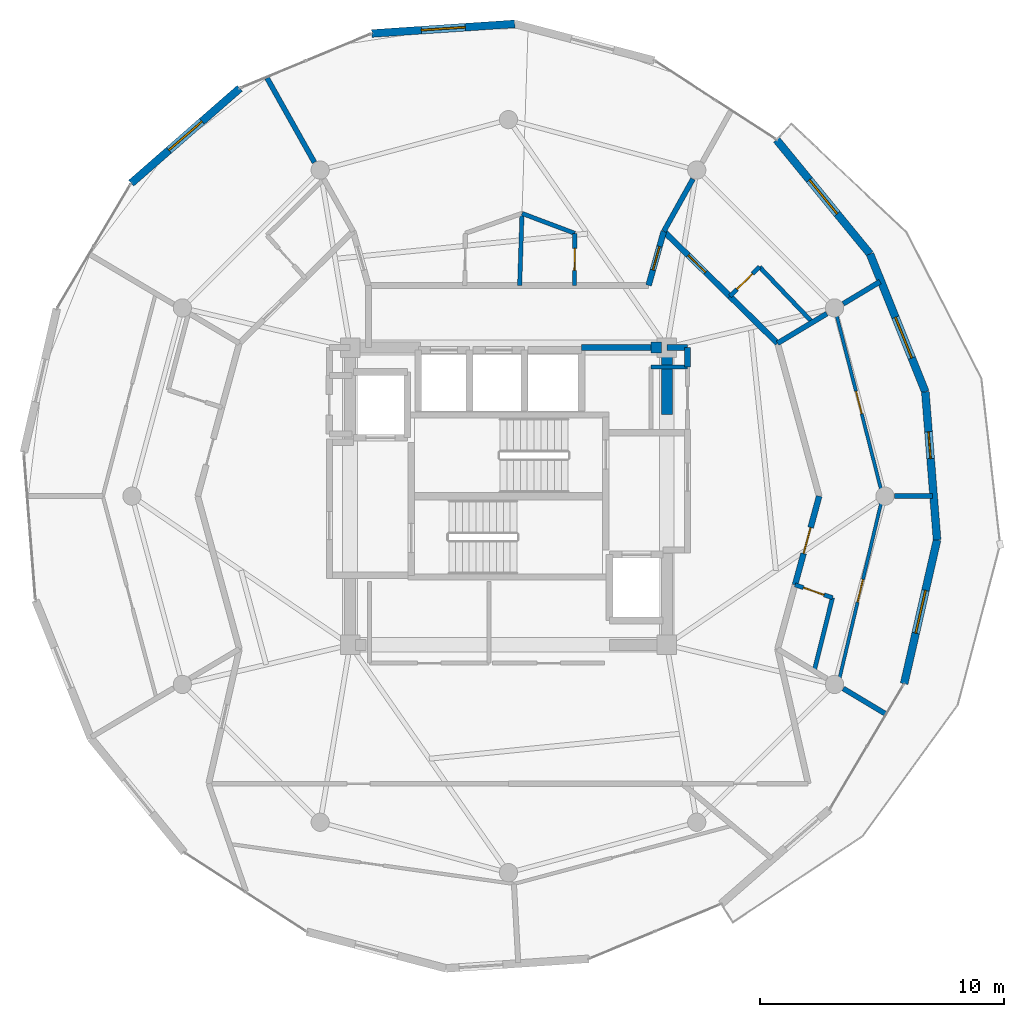
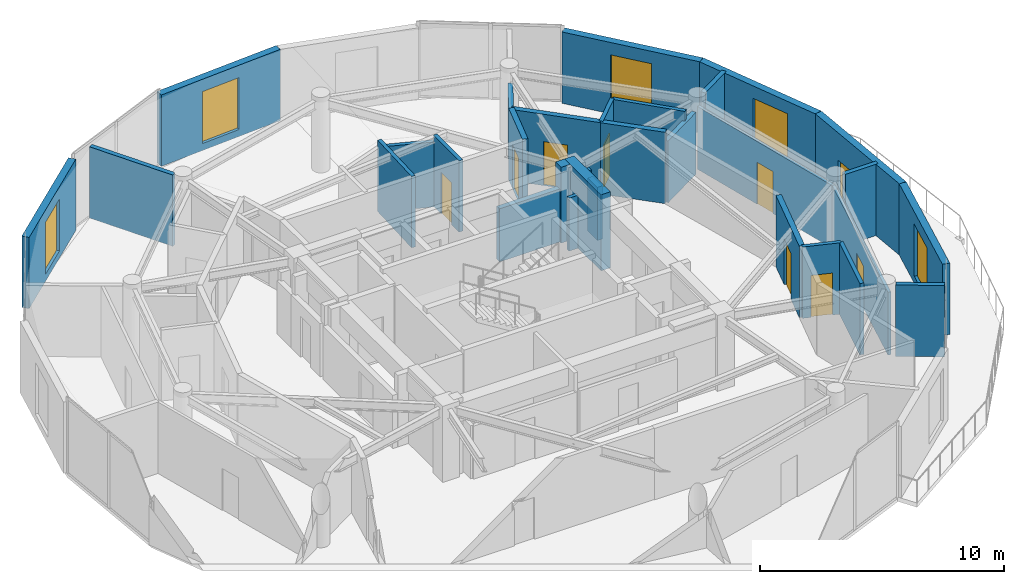
# One storey, part 19 of 22: 31 walls, 9 doors, 5 windows, 14 openings.
"""IFC4 building model written with IfcOpenShell, lengths in metres."""

from ifc_helpers import new_model, si_unit, direction, frame, frame_2d, origin, place, context, subcontext, project, spatial, rectangle, extrude, material, layer, layer_set, type_object, element, fill, save


model = new_model("IFC4")

# Units and contexts
model_context = context("Model", 3, precision=1e-05, world=origin(), true_north=direction((0.0, 1.0)))
body_context = subcontext(model_context, "Body", "Model", "MODEL_VIEW")
ifc_project = project(units=[si_unit("LENGTHUNIT", "METRE"), si_unit("AREAUNIT", "SQUARE_METRE"), si_unit("VOLUMEUNIT", "CUBIC_METRE"), si_unit("PLANEANGLEUNIT", "RADIAN"), si_unit("MASSUNIT", "GRAM", prefix="KILO")], contexts=[model_context])

# Site, building, storey
site_placement = place(None, origin())
site = spatial("IfcSite", under=ifc_project, at=site_placement, CompositionType="ELEMENT")
building_placement = place(site_placement, origin())
building = spatial("IfcBuilding", under=site, at=building_placement, Name="Solvirekh Grand Hotel", CompositionType="ELEMENT")
storey_placement = place(building_placement, frame((0.0, 0.0, 243.0)))
storey = spatial("IfcBuildingStorey", under=building, at=storey_placement, Name="L63", CompositionType="ELEMENT", Elevation=243.0)

# Walls
ifc_material_1 = material(Name="Concrete C50/60", Category="concrete")
ifc_layer_1 = layer(ifc_material_1, 0.449951171875)
ifc_layer_set_1 = layer_set([ifc_layer_1], Name="Concrete C50/60")
wall_type_1 = type_object("IfcWallType", Name="CoreWall_RC450", PredefinedType="SHEAR", material=ifc_layer_set_1)
wall_1_placement = place(storey_placement, frame((5.85009765625, 6.10009765625, 0.0), z_axis=(0.0, 0.0, 1.0), x_axis=(1.0, 0.0, 0.0)))
element("IfcWall", 1, at=wall_1_placement, inside=storey, type_object=wall_type_1, Name="L63 core corner shear wall NE-N", PredefinedType="SHEAR", context=body_context, shape_type="SweptSolid", body=[
    extrude(rectangle(XDim=0.4248046875, YDim=0.449951171875, at=frame_2d((0.21240234375, 0.0))), origin(), (0.0, 0.0, 1.0), 3.800048828125),
])
wall_2_placement = place(storey_placement, frame((6.5, 3.35009765625, 0.0), z_axis=(0.0, 0.0, 1.0), x_axis=(0.0, 1.0, 0.0)))
element("IfcWall", 2, at=wall_2_placement, inside=storey, type_object=wall_type_1, Name="L63 core corner shear wall EN-E", PredefinedType="SHEAR", context=body_context, shape_type="SweptSolid", body=[
    extrude(rectangle(XDim=2.974853515625, YDim=0.449951171875, at=frame_2d((1.4873046875, 0.0))), origin(), (0.0, 0.0, 1.0), 3.800048828125),
])

# Wall, opening, window
ifc_material_2 = material(Name="Precast concrete C45/55", Category="concrete")
ifc_layer_2 = layer(ifc_material_2, 0.320068359375)
ifc_layer_set_2 = layer_set([ifc_layer_2], Name="Precast concrete C45/55")
wall_type_2 = type_object("IfcWallType", Name="ExtLobbyWall_RC320", PredefinedType="SOLIDWALL", material=ifc_layer_set_2)
wall_3_placement = place(storey_placement, frame((17.5869140625, -1.794921875, 0.0), z_axis=(0.0, 0.0, 1.0), x_axis=(-0.223174159959, -0.974778587335, 0.0)))
wall_3 = element("IfcWall", 3, at=wall_3_placement, inside=storey, type_object=wall_type_2, Name="L63 exterior structural wall chord 4", PredefinedType="SOLIDWALL", context=body_context, shape_type="SweptSolid", body=[
    extrude(rectangle(XDim=6.052734375, YDim=0.320068359375, at=frame_2d((3.0263671875, 0.0))), origin(), (0.0, 0.0, 1.0), 3.570068359375),
])
opening_1_placement = place(wall_3_placement, frame((2.1259765625, 0.0, 0.35009765625)))
opening_1 = element("IfcOpeningElement", 4, at=opening_1_placement, cuts=wall_3, Name="Opening W02", PredefinedType="OPENING", context=body_context, shape_type="SweptSolid", body=[
    extrude(rectangle(XDim=1.800048828125, YDim=2.60009765625, at=frame_2d((0.89990234375, 1.300048828125))), frame((0.0, 0.169921875, 0.0), z_axis=(0.0, -1.0, 0.0), x_axis=(1.0, 0.0, 0.0)), (0.0, 0.0, 1.0), 0.340087890625),
])
ifc_material_3 = material(Name="Low-E Tinted Bronze Laminated Glass", Category="aluminium")
window_type = type_object("IfcWindowType", Name="Win_LobbyExt_1800X2600", PartitioningType="SINGLE_PANEL", PredefinedType="WINDOW", material=ifc_material_3)
window_1_placement = place(opening_1_placement, origin())
window_1 = element("IfcWindow", 5, at=window_1_placement, inside=storey, type_object=window_type, Name="L63 panoramic bronze-framed window 4", OverallHeight=2.60009765625, OverallWidth=1.800048828125, PartitioningType="SINGLE_PANEL", PredefinedType="WINDOW", context=body_context, shape_type="SweptSolid", body=[
    extrude(rectangle(XDim=1.800048828125, YDim=2.60009765625, at=frame_2d((0.89990234375, 1.300048828125))), frame((0.0, 0.030029296875, 0.0), z_axis=(0.0, -1.0, 0.0), x_axis=(1.0, 0.0, 0.0)), (0.0, 0.0, 1.0), 0.06005859375),
])
fill(opening_1, window_1)

# Wall, opening, door
wall_4_placement = place(storey_placement, frame((17.10498046875, 4.281982421875, 0.0), z_axis=(0.0, 0.0, 1.0), x_axis=(0.079057550351, -0.996870053584, 0.0)))
wall_4 = element("IfcWall", 6, at=wall_4_placement, inside=storey, type_object=wall_type_2, Name="L63 exterior structural wall chord 5", PredefinedType="SOLIDWALL", context=body_context, shape_type="SweptSolid", body=[
    extrude(rectangle(XDim=6.095947265625, YDim=0.320068359375, at=frame_2d((3.0478515625, 0.0))), origin(), (0.0, 0.0, 1.0), 3.570068359375),
])
opening_2_placement = place(wall_4_placement, frame((1.64599609375, 0.0, 0.0)))
opening_2 = element("IfcOpeningElement", 7, at=opening_2_placement, cuts=wall_4, Name="Opening D03", PredefinedType="OPENING", context=body_context, shape_type="SweptSolid", body=[
    extrude(rectangle(XDim=1.10009765625, YDim=2.199951171875, at=frame_2d((0.550048828125, 1.10009765625))), frame((0.0, 0.169921875, 0.0), z_axis=(0.0, -1.0, 0.0), x_axis=(1.0, 0.0, 0.0)), (0.0, 0.0, 1.0), 0.340087890625),
])
ifc_material_4 = material(Name="Anodized Bronze Aluminium 6063-T6", Category="aluminium")
door_type_1 = type_object("IfcDoorType", Name="Door_ExtBalcony_1100X2200", OperationType="NOTDEFINED", PredefinedType="DOOR", material=ifc_material_4)
door_1_placement = place(opening_2_placement, origin())
door_1 = element("IfcDoor", 8, at=door_1_placement, inside=storey, type_object=door_type_1, Name="L63 Crescent balcony glazed door (5)", OperationType="SINGLE_SWING_RIGHT", OverallHeight=2.199951171875, OverallWidth=1.10009765625, PredefinedType="DOOR", context=body_context, shape_type="SweptSolid", body=[
    extrude(rectangle(XDim=1.10009765625, YDim=2.199951171875, at=frame_2d((0.550048828125, 1.10009765625))), frame((0.0, 0.02490234375, 0.0), z_axis=(0.0, -1.0, 0.0), x_axis=(1.0, 0.0, 0.0)), (0.0, 0.0, 1.0), 0.050048828125),
])
fill(opening_2, door_1)

# Wall, opening, window
wall_5_placement = place(storey_placement, frame((14.8349609375, 9.93896484375, 0.0), z_axis=(0.0, 0.0, 1.0), x_axis=(0.372412492589, -0.928067311871, 0.0)))
wall_5 = element("IfcWall", 9, at=wall_5_placement, inside=storey, type_object=wall_type_2, Name="L63 exterior structural wall chord 6", PredefinedType="SOLIDWALL", context=body_context, shape_type="SweptSolid", body=[
    extrude(rectangle(XDim=6.095458984375, YDim=0.320068359375, at=frame_2d((3.0478515625, 0.0))), origin(), (0.0, 0.0, 1.0), 3.570068359375),
])
opening_3_placement = place(wall_5_placement, frame((2.802001953125, 0.0, 0.35009765625)))
opening_3 = element("IfcOpeningElement", 10, at=opening_3_placement, cuts=wall_5, Name="Opening W02", PredefinedType="OPENING", context=body_context, shape_type="SweptSolid", body=[
    extrude(rectangle(XDim=1.800048828125, YDim=2.60009765625, at=frame_2d((0.89990234375, 1.300048828125))), frame((0.0, 0.169921875, 0.0), z_axis=(0.0, -1.0, 0.0), x_axis=(1.0, 0.0, 0.0)), (0.0, 0.0, 1.0), 0.340087890625),
])
window_2_placement = place(opening_3_placement, origin())
window_2 = element("IfcWindow", 11, at=window_2_placement, inside=storey, type_object=window_type, Name="L63 panoramic bronze-framed window 6", OverallHeight=2.60009765625, OverallWidth=1.800048828125, PartitioningType="SINGLE_PANEL", PredefinedType="WINDOW", context=body_context, shape_type="SweptSolid", body=[
    extrude(rectangle(XDim=1.800048828125, YDim=2.60009765625, at=frame_2d((0.89990234375, 1.300048828125))), frame((0.0, 0.030029296875, 0.0), z_axis=(0.0, -1.0, 0.0), x_axis=(1.0, 0.0, 0.0)), (0.0, 0.0, 1.0), 0.06005859375),
])
fill(opening_3, window_2)

wall_6_placement = place(storey_placement, frame((11.0009765625, 14.623046875, 0.0), z_axis=(0.0, 0.0, 1.0), x_axis=(0.633391522875, -0.773831492478, 0.0)))
wall_6 = element("IfcWall", 12, at=wall_6_placement, inside=storey, type_object=wall_type_2, Name="L63 exterior structural wall chord 7", PredefinedType="SOLIDWALL", context=body_context, shape_type="SweptSolid", body=[
    extrude(rectangle(XDim=6.05322265625, YDim=0.320068359375, at=frame_2d((3.026611328125, 0.0))), origin(), (0.0, 0.0, 1.0), 3.570068359375),
])
opening_4_placement = place(wall_6_placement, frame((2.126953125, 0.0, 0.35009765625)))
opening_4 = element("IfcOpeningElement", 13, at=opening_4_placement, cuts=wall_6, Name="Opening W02", PredefinedType="OPENING", context=body_context, shape_type="SweptSolid", body=[
    extrude(rectangle(XDim=1.800048828125, YDim=2.60009765625, at=frame_2d((0.89990234375, 1.300048828125))), frame((0.0, 0.169921875, 0.0), z_axis=(0.0, -1.0, 0.0), x_axis=(1.0, 0.0, 0.0)), (0.0, 0.0, 1.0), 0.340087890625),
])
window_3_placement = place(opening_4_placement, origin())
window_3 = element("IfcWindow", 14, at=window_3_placement, inside=storey, type_object=window_type, Name="L63 panoramic bronze-framed window 7", OverallHeight=2.60009765625, OverallWidth=1.800048828125, PartitioningType="SINGLE_PANEL", PredefinedType="WINDOW", context=body_context, shape_type="SweptSolid", body=[
    extrude(rectangle(XDim=1.800048828125, YDim=2.60009765625, at=frame_2d((0.89990234375, 1.300048828125))), frame((0.0, 0.030029296875, 0.0), z_axis=(0.0, -1.0, 0.0), x_axis=(1.0, 0.0, 0.0)), (0.0, 0.0, 1.0), 0.06005859375),
])
fill(opening_4, window_3)

wall_7_placement = place(storey_placement, frame((-5.60302734375, 18.985107421875, 0.0), z_axis=(0.0, 0.0, 1.0), x_axis=(0.997748955427, 0.067059838539, 0.0)))
wall_7 = element("IfcWall", 15, at=wall_7_placement, inside=storey, type_object=wall_type_2, Name="L63 exterior structural wall chord 10", PredefinedType="SOLIDWALL", context=body_context, shape_type="SweptSolid", body=[
    extrude(rectangle(XDim=5.872314453125, YDim=0.320068359375, at=frame_2d((2.93603515625, 0.0))), origin(), (0.0, 0.0, 1.0), 3.570068359375),
])
opening_5_placement = place(wall_7_placement, frame((2.035888671875, 0.0, 0.35009765625)))
opening_5 = element("IfcOpeningElement", 16, at=opening_5_placement, cuts=wall_7, Name="Opening W02", PredefinedType="OPENING", context=body_context, shape_type="SweptSolid", body=[
    extrude(rectangle(XDim=1.800048828125, YDim=2.60009765625, at=frame_2d((0.89990234375, 1.300048828125))), frame((0.0, 0.169921875, 0.0), z_axis=(0.0, -1.0, 0.0), x_axis=(1.0, 0.0, 0.0)), (0.0, 0.0, 1.0), 0.340087890625),
])
window_4_placement = place(opening_5_placement, origin())
window_4 = element("IfcWindow", 17, at=window_4_placement, inside=storey, type_object=window_type, Name="L63 panoramic bronze-framed window 10", OverallHeight=2.60009765625, OverallWidth=1.800048828125, PartitioningType="SINGLE_PANEL", PredefinedType="WINDOW", context=body_context, shape_type="SweptSolid", body=[
    extrude(rectangle(XDim=1.800048828125, YDim=2.60009765625, at=frame_2d((0.89990234375, 1.300048828125))), frame((0.0, 0.030029296875, 0.0), z_axis=(0.0, -1.0, 0.0), x_axis=(1.0, 0.0, 0.0)), (0.0, 0.0, 1.0), 0.06005859375),
])
fill(opening_5, window_4)

wall_8_placement = place(storey_placement, frame((-15.48193359375, 12.842041015625, 0.0), z_axis=(0.0, 0.0, 1.0), x_axis=(0.753261443664, 0.65772121563, 0.0)))
wall_8 = element("IfcWall", 18, at=wall_8_placement, inside=storey, type_object=wall_type_2, Name="L63 exterior structural wall chord 12", PredefinedType="SOLIDWALL", context=body_context, shape_type="SweptSolid", body=[
    extrude(rectangle(XDim=5.915771484375, YDim=0.320068359375, at=frame_2d((2.9580078125, 0.0))), origin(), (0.0, 0.0, 1.0), 3.570068359375),
])
opening_6_placement = place(wall_8_placement, frame((2.05810546875, 0.0, 0.35009765625)))
opening_6 = element("IfcOpeningElement", 19, at=opening_6_placement, cuts=wall_8, Name="Opening W02", PredefinedType="OPENING", context=body_context, shape_type="SweptSolid", body=[
    extrude(rectangle(XDim=1.800048828125, YDim=2.60009765625, at=frame_2d((0.89990234375, 1.300048828125))), frame((0.0, 0.169921875, 0.0), z_axis=(0.0, -1.0, 0.0), x_axis=(1.0, 0.0, 0.0)), (0.0, 0.0, 1.0), 0.340087890625),
])
window_5_placement = place(opening_6_placement, origin())
window_5 = element("IfcWindow", 20, at=window_5_placement, inside=storey, type_object=window_type, Name="L63 panoramic bronze-framed window 12", OverallHeight=2.60009765625, OverallWidth=1.800048828125, PartitioningType="SINGLE_PANEL", PredefinedType="WINDOW", context=body_context, shape_type="SweptSolid", body=[
    extrude(rectangle(XDim=1.800048828125, YDim=2.60009765625, at=frame_2d((0.89990234375, 1.300048828125))), frame((0.0, 0.030029296875, 0.0), z_axis=(0.0, -1.0, 0.0), x_axis=(1.0, 0.0, 0.0)), (0.0, 0.0, 1.0), 0.06005859375),
])
fill(opening_6, window_5)

# Walls
ifc_material_5 = material(Name="Acoustic Gypsum Partition Assembly")
ifc_layer_3 = layer(ifc_material_5, 0.1650390625)
ifc_layer_set_3 = layer_set([ifc_layer_3], Name="Acoustic Gypsum Partition Assembly")
wall_type_3 = type_object("IfcWallType", Name="Part_BOH_165", PredefinedType="PARTITIONING", material=ifc_layer_set_3)
wall_9_placement = place(storey_placement, frame((7.35009765625, 5.300048828125, 0.0), z_axis=(0.0, 0.0, 1.0), x_axis=(-1.0, 0.0, 0.0)))
element("IfcWall", 21, at=wall_9_placement, inside=storey, type_object=wall_type_3, Name="L63 L63 Core Housekeeping & Linen Room wall 3", PredefinedType="PARTITIONING", context=body_context, shape_type="SweptSolid", body=[
    extrude(rectangle(XDim=1.5, YDim=0.1650390625, at=frame_2d((0.75, 0.0))), origin(), (0.0, 0.0, 1.0), 2.655029296875),
])
ifc_layer_4 = layer(ifc_material_5, 0.239990234375)
ifc_layer_set_4 = layer_set([ifc_layer_4], Name="Acoustic Gypsum Partition Assembly")
wall_type_4 = type_object("IfcWallType", Name="Part_Corridor_240", PredefinedType="PARTITIONING", material=ifc_layer_set_4)
wall_10_placement = place(storey_placement, frame((3.0, 6.10009765625, 0.0), z_axis=(0.0, 0.0, 1.0), x_axis=(1.0, 0.0, 0.0)))
element("IfcWall", 22, at=wall_10_placement, inside=storey, type_object=wall_type_4, Name="L63 north core shaft infill wall", PredefinedType="PARTITIONING", context=body_context, shape_type="SweptSolid", body=[
    extrude(rectangle(XDim=2.85009765625, YDim=0.239990234375, at=frame_2d((1.425048828125, 0.0))), origin(), (0.0, 0.0, 1.0), 2.655029296875),
])
wall_11_placement = place(storey_placement, frame((7.35009765625, 5.300048828125, 0.0), z_axis=(0.0, 0.0, 1.0), x_axis=(0.0, 1.0, 0.0)))
element("IfcWall", 23, at=wall_11_placement, inside=storey, type_object=wall_type_4, Name="L63 NE core cheek closure wall", PredefinedType="PARTITIONING", context=body_context, shape_type="SweptSolid", body=[
    extrude(rectangle(XDim=0.800048828125, YDim=0.239990234375, at=frame_2d((0.39990234375, 0.0))), origin(), (0.0, 0.0, 1.0), 2.655029296875),
])
wall_12_placement = place(storey_placement, frame((6.5, 6.10009765625, 0.0), z_axis=(0.0, 0.0, 1.0), x_axis=(1.0, 0.0, 0.0)))
element("IfcWall", 24, at=wall_12_placement, inside=storey, type_object=wall_type_4, Name="L63 NE core corner tie wall", PredefinedType="PARTITIONING", context=body_context, shape_type="SweptSolid", body=[
    extrude(rectangle(XDim=0.85009765625, YDim=0.239990234375, at=frame_2d((0.425048828125, 0.0))), origin(), (0.0, 0.0, 1.0), 3.0859375),
])

# Wall, opening, door
wall_13_placement = place(storey_placement, frame((5.75, 8.64990234375, 0.0), z_axis=(0.0, 0.0, 1.0), x_axis=(0.271110513922, 0.962548226969, 0.0)))
wall_13 = element("IfcWall", 25, at=wall_13_placement, inside=storey, type_object=wall_type_4, Name="L63 Deluxe Guestroom 6501 entrance wall", PredefinedType="PARTITIONING", context=body_context, shape_type="SweptSolid", body=[
    extrude(rectangle(XDim=2.305419921875, YDim=0.239990234375, at=frame_2d((1.15283203125, 0.0))), origin(), (0.0, 0.0, 1.0), 3.570068359375),
])
opening_7_placement = place(wall_13_placement, frame((0.653076171875, 0.0, 0.0)))
opening_7 = element("IfcOpeningElement", 26, at=opening_7_placement, cuts=wall_13, Name="Opening D07", PredefinedType="OPENING", context=body_context, shape_type="SweptSolid", body=[
    extrude(rectangle(XDim=1.0, YDim=2.199951171875, at=frame_2d((0.5, 1.10009765625))), frame((0.0, 0.1298828125, 0.0), z_axis=(0.0, -1.0, 0.0), x_axis=(1.0, 0.0, 0.0)), (0.0, 0.0, 1.0), 0.260009765625),
])
ifc_material_6 = material(Name="Fire-Rated Steel Door Assembly", Category="steel")
door_type_2 = type_object("IfcDoorType", Name="Door_GuestEntry_1000X2200", OperationType="NOTDEFINED", PredefinedType="DOOR", material=ifc_material_6)
door_2_placement = place(opening_7_placement, origin())
door_2 = element("IfcDoor", 27, at=door_2_placement, inside=storey, type_object=door_type_2, Name="L63 Deluxe Guestroom 6501 entrance door", OperationType="SINGLE_SWING_RIGHT", OverallHeight=2.199951171875, OverallWidth=1.0, PredefinedType="DOOR", context=body_context, shape_type="SweptSolid", body=[
    extrude(rectangle(XDim=1.0, YDim=2.199951171875, at=frame_2d((0.5, 1.10009765625))), frame((0.0, 0.02490234375, 0.0), z_axis=(0.0, -1.0, 0.0), x_axis=(1.0, 0.0, 0.0)), (0.0, 0.0, 1.0), 0.050048828125),
])
fill(opening_7, door_2)

wall_14_placement = place(storey_placement, frame((11.759033203125, -3.639892578125, 0.0), z_axis=(0.0, 0.0, 1.0), x_axis=(0.2626902414, 0.964880219029, 0.0)))
wall_14 = element("IfcWall", 28, at=wall_14_placement, inside=storey, type_object=wall_type_4, Name="L63 Executive Suite 6505 Living Room entrance wall", PredefinedType="PARTITIONING", context=body_context, shape_type="SweptSolid", body=[
    extrude(rectangle(XDim=3.7724609375, YDim=0.239990234375, at=frame_2d((1.88623046875, 0.0))), origin(), (0.0, 0.0, 1.0), 3.570068359375),
])
opening_8_placement = place(wall_14_placement, frame((1.3359375, 0.0, 0.0)))
opening_8 = element("IfcOpeningElement", 29, at=opening_8_placement, cuts=wall_14, Name="Opening D08", PredefinedType="OPENING", context=body_context, shape_type="SweptSolid", body=[
    extrude(rectangle(XDim=1.10009765625, YDim=2.300048828125, at=frame_2d((0.550048828125, 1.14990234375))), frame((0.0, 0.1298828125, 0.0), z_axis=(0.0, -1.0, 0.0), x_axis=(1.0, 0.0, 0.0)), (0.0, 0.0, 1.0), 0.260009765625),
])
door_type_3 = type_object("IfcDoorType", Name="Door_SuiteEntry_1100X2300", OperationType="NOTDEFINED", PredefinedType="DOOR", material=ifc_material_6)
door_3_placement = place(opening_8_placement, origin())
door_3 = element("IfcDoor", 30, at=door_3_placement, inside=storey, type_object=door_type_3, Name="L63 Executive Suite 6505 Living Room entrance door", OperationType="SINGLE_SWING_RIGHT", OverallHeight=2.300048828125, OverallWidth=1.10009765625, PredefinedType="DOOR", context=body_context, shape_type="SweptSolid", body=[
    extrude(rectangle(XDim=1.10009765625, YDim=2.300048828125, at=frame_2d((0.550048828125, 1.14990234375))), frame((0.0, 0.02490234375, 0.0), z_axis=(0.0, -1.0, 0.0), x_axis=(1.0, 0.0, 0.0)), (0.0, 0.0, 1.0), 0.050048828125),
])
fill(opening_8, door_3)

# Wall
wall_15_placement = place(storey_placement, frame((11.0419921875, 6.27490234375, 0.0), z_axis=(0.0, 0.0, 1.0), x_axis=(-0.712677423321, 0.701491903224, 0.0)))
element("IfcWall", 31, at=wall_15_placement, inside=storey, type_object=wall_type_4, Name="L63 En-suite Bathroom 6506 corridor backing wall", PredefinedType="PARTITIONING", context=body_context, shape_type="SweptSolid", body=[
    extrude(rectangle(XDim=2.750244140625, YDim=0.239990234375, at=frame_2d((1.375, 0.0))), origin(), (0.0, 0.0, 1.0), 3.570068359375),
])

# Wall, opening, door
wall_16_placement = place(storey_placement, frame((9.08203125, 8.2041015625, 0.0), z_axis=(0.0, 0.0, 1.0), x_axis=(-0.712644426178, 0.70152542494, 0.0)))
wall_16 = element("IfcWall", 32, at=wall_16_placement, inside=storey, type_object=wall_type_4, Name="L63 Deluxe Guestroom 6506 entrance wall", PredefinedType="PARTITIONING", context=body_context, shape_type="SweptSolid", body=[
    extrude(rectangle(XDim=3.798583984375, YDim=0.239990234375, at=frame_2d((1.8994140625, 0.0))), origin(), (0.0, 0.0, 1.0), 3.570068359375),
])
opening_9_placement = place(wall_16_placement, frame((1.39892578125, 0.0, 0.0)))
opening_9 = element("IfcOpeningElement", 33, at=opening_9_placement, cuts=wall_16, Name="Opening D07", PredefinedType="OPENING", context=body_context, shape_type="SweptSolid", body=[
    extrude(rectangle(XDim=1.0, YDim=2.199951171875, at=frame_2d((0.5, 1.10009765625))), frame((0.0, 0.1298828125, 0.0), z_axis=(0.0, -1.0, 0.0), x_axis=(1.0, 0.0, 0.0)), (0.0, 0.0, 1.0), 0.260009765625),
])
door_4_placement = place(opening_9_placement, origin())
door_4 = element("IfcDoor", 34, at=door_4_placement, inside=storey, type_object=door_type_2, Name="L63 Deluxe Guestroom 6506 entrance door", OperationType="SINGLE_SWING_RIGHT", OverallHeight=2.199951171875, OverallWidth=1.0, PredefinedType="DOOR", context=body_context, shape_type="SweptSolid", body=[
    extrude(rectangle(XDim=1.0, YDim=2.199951171875, at=frame_2d((0.5, 1.10009765625))), frame((0.0, 0.02490234375, 0.0), z_axis=(0.0, -1.0, 0.0), x_axis=(1.0, 0.0, 0.0)), (0.0, 0.0, 1.0), 0.050048828125),
])
fill(opening_9, door_4)

ifc_layer_5 = layer(ifc_material_5, 0.135009765625)
ifc_layer_set_5 = layer_set([ifc_layer_5], Name="Acoustic Gypsum Partition Assembly")
wall_type_5 = type_object("IfcWallType", Name="Part_RoomInt_135", PredefinedType="PARTITIONING", material=ifc_layer_set_5)
wall_17_placement = place(storey_placement, frame((13.51611328125, -7.759033203125, 0.0), z_axis=(0.0, 0.0, 1.0), x_axis=(0.230840940032, 0.972991500685, 0.0)))
wall_17 = element("IfcWall", 35, at=wall_17_placement, inside=storey, type_object=wall_type_5, Name="L63 Executive Suite 6505 Living Room bedroom screen wall", PredefinedType="PARTITIONING", context=body_context, shape_type="SweptSolid", body=[
    extrude(rectangle(XDim=7.974365234375, YDim=0.135009765625, at=frame_2d((3.9873046875, 0.0))), origin(), (0.0, 0.0, 1.0), 3.138916015625),
])
opening_10_placement = place(wall_17_placement, frame((3.511962890625, 0.0, 0.0)))
opening_10 = element("IfcOpeningElement", 36, at=opening_10_placement, cuts=wall_17, Name="Opening D10", PredefinedType="OPENING", context=body_context, shape_type="SweptSolid", body=[
    extrude(rectangle(XDim=0.949951171875, YDim=2.10009765625, at=frame_2d((0.47509765625, 1.050048828125))), frame((0.0, 0.07763671875, 0.0), z_axis=(0.0, -1.0, 0.0), x_axis=(1.0, 0.0, 0.0)), (0.0, 0.0, 1.0), 0.155029296875),
])
door_type_4 = type_object("IfcDoorType", Name="Door_RoomInt_950X2100", OperationType="NOTDEFINED", PredefinedType="DOOR", material=ifc_material_4)
door_5_placement = place(opening_10_placement, origin())
door_5 = element("IfcDoor", 37, at=door_5_placement, inside=storey, type_object=door_type_4, Name="L63 Executive Suite 6505 Living Room master bedroom door", OperationType="SINGLE_SWING_LEFT", OverallHeight=2.10009765625, OverallWidth=0.949951171875, PredefinedType="DOOR", context=body_context, shape_type="SweptSolid", body=[
    extrude(rectangle(XDim=0.949951171875, YDim=2.10009765625, at=frame_2d((0.47509765625, 1.050048828125))), frame((0.0, 0.02490234375, 0.0), z_axis=(0.0, -1.0, 0.0), x_axis=(1.0, 0.0, 0.0)), (0.0, 0.0, 1.0), 0.050048828125),
])
fill(opening_10, door_5)

wall_18_placement = place(storey_placement, frame((15.35693359375, 0.0, 0.0), z_axis=(0.0, 0.0, 1.0), x_axis=(-0.246948201866, 0.969028681513, 0.0)))
wall_18 = element("IfcWall", 38, at=wall_18_placement, inside=storey, type_object=wall_type_5, Name="L63 Executive Suite 6505 Panorama Suite Study bedroom screen wall", PredefinedType="PARTITIONING", context=body_context, shape_type="SweptSolid", body=[
    extrude(rectangle(XDim=7.936767578125, YDim=0.135009765625, at=frame_2d((3.96826171875, 0.0))), origin(), (0.0, 0.0, 1.0), 3.138916015625),
])
opening_11_placement = place(wall_18_placement, frame((3.492919921875, 0.0, 0.0)))
opening_11 = element("IfcOpeningElement", 39, at=opening_11_placement, cuts=wall_18, Name="Opening D10", PredefinedType="OPENING", context=body_context, shape_type="SweptSolid", body=[
    extrude(rectangle(XDim=0.949951171875, YDim=2.10009765625, at=frame_2d((0.47509765625, 1.050048828125))), frame((0.0, 0.07763671875, 0.0), z_axis=(0.0, -1.0, 0.0), x_axis=(1.0, 0.0, 0.0)), (0.0, 0.0, 1.0), 0.155029296875),
])
door_6_placement = place(opening_11_placement, origin())
door_6 = element("IfcDoor", 40, at=door_6_placement, inside=storey, type_object=door_type_4, Name="L63 Executive Suite 6505 Panorama Suite Study master bedroom door", OperationType="SINGLE_SWING_RIGHT", OverallHeight=2.10009765625, OverallWidth=0.949951171875, PredefinedType="DOOR", context=body_context, shape_type="SweptSolid", body=[
    extrude(rectangle(XDim=0.949951171875, YDim=2.10009765625, at=frame_2d((0.47509765625, 1.050048828125))), frame((0.0, 0.02490234375, 0.0), z_axis=(0.0, -1.0, 0.0), x_axis=(1.0, 0.0, 0.0)), (0.0, 0.0, 1.0), 0.050048828125),
])
fill(opening_11, door_6)

# Walls
ifc_layer_6 = layer(ifc_material_5, 0.2099609375)
ifc_layer_set_6 = layer_set([ifc_layer_6], Name="Acoustic Gypsum Partition Assembly")
wall_type_6 = type_object("IfcWallType", Name="Part_SuiteDemise_210", PredefinedType="PARTITIONING", material=ifc_layer_set_6)
wall_19_placement = place(storey_placement, frame((11.0419921875, 6.27490234375, 0.0), z_axis=(0.0, 0.0, 1.0), x_axis=(0.857026686246, 0.515272024335, 0.0)))
element("IfcWall", 41, at=wall_19_placement, inside=storey, type_object=wall_type_6, Name="L63 suite radial wall 2 (A)", PredefinedType="PARTITIONING", context=body_context, shape_type="SweptSolid", body=[
    extrude(rectangle(XDim=2.358154296875, YDim=0.2099609375, at=frame_2d((1.17919921875, 0.0))), origin(), (0.0, 0.0, 1.0), 3.0859375),
])
wall_20_placement = place(storey_placement, frame((13.737060546875, 7.89501953125, 0.0), z_axis=(0.0, 0.0, 1.0), x_axis=(0.857150569961, 0.515065918514, 0.0)))
element("IfcWall", 42, at=wall_20_placement, inside=storey, type_object=wall_type_6, Name="L63 suite radial wall 2 (B)", PredefinedType="PARTITIONING", context=body_context, shape_type="SweptSolid", body=[
    extrude(rectangle(XDim=1.7626953125, YDim=0.2099609375, at=frame_2d((0.88134765625, 0.0))), origin(), (0.0, 0.0, 1.0), 3.570068359375),
])
wall_21_placement = place(storey_placement, frame((6.375, 10.868896484375, 0.0), z_axis=(0.0, 0.0, 1.0), x_axis=(0.486620940413, 0.873613221255, 0.0)))
element("IfcWall", 43, at=wall_21_placement, inside=storey, type_object=wall_type_6, Name="L63 suite radial wall 3 (A)", PredefinedType="PARTITIONING", context=body_context, shape_type="SweptSolid", body=[
    extrude(rectangle(XDim=2.457763671875, YDim=0.2099609375, at=frame_2d((1.22900390625, 0.0))), origin(), (0.0, 0.0, 1.0), 3.0859375),
])
wall_22_placement = place(storey_placement, frame((-7.9619140625, 13.696044921875, 0.0), z_axis=(0.0, 0.0, 1.0), x_axis=(-0.489665242016, 0.871910517634, 0.0)))
element("IfcWall", 44, at=wall_22_placement, inside=storey, type_object=wall_type_6, Name="L63 suite radial wall 5 (B)", PredefinedType="PARTITIONING", context=body_context, shape_type="SweptSolid", body=[
    extrude(rectangle(XDim=3.96826171875, YDim=0.2099609375, at=frame_2d((1.984130859375, 0.0))), origin(), (0.0, 0.0, 1.0), 3.570068359375),
])
wall_23_placement = place(storey_placement, frame((13.738037109375, -7.89208984375, 0.0), z_axis=(0.0, 0.0, 1.0), x_axis=(0.857407053578, -0.514638848587, 0.0)))
element("IfcWall", 45, at=wall_23_placement, inside=storey, type_object=wall_type_6, Name="L63 suite radial wall 12 (B)", PredefinedType="PARTITIONING", context=body_context, shape_type="SweptSolid", body=[
    extrude(rectangle(XDim=2.007080078125, YDim=0.2099609375, at=frame_2d((1.00341796875, 0.0))), origin(), (0.0, 0.0, 1.0), 3.570068359375),
])
wall_24_placement = place(storey_placement, frame((15.844970703125, 0.0, 0.0), z_axis=(0.0, 0.0, 1.0), x_axis=(1.0, 0.0, 0.0)))
element("IfcWall", 46, at=wall_24_placement, inside=storey, type_object=wall_type_6, Name="L63 Executive Suite 6505 Living Room dividing partition 1 (A)", PredefinedType="PARTITIONING", context=body_context, shape_type="SweptSolid", body=[
    extrude(rectangle(XDim=1.56005859375, YDim=0.2099609375, at=frame_2d((0.780029296875, 0.0))), origin(), (0.0, 0.0, 1.0), 3.570068359375),
])
ifc_layer_7 = layer(ifc_material_5, 0.175048828125)
ifc_layer_set_7 = layer_set([ifc_layer_7], Name="Acoustic Gypsum Partition Assembly")
wall_type_7 = type_object("IfcWallType", Name="Plumb_Ensuite_175", PredefinedType="PLUMBINGWALL", material=ifc_layer_set_7)
wall_25_placement = place(storey_placement, frame((0.555908203125, 11.60205078125, 0.0), z_axis=(0.0, 0.0, 1.0), x_axis=(0.935773181831, -0.35260254135, 0.0)))
element("IfcWall", 47, at=wall_25_placement, inside=storey, type_object=wall_type_7, Name="L63 En-suite Bathroom 6501 outer plumbing wall", PredefinedType="PLUMBINGWALL", context=body_context, shape_type="SweptSolid", body=[
    extrude(rectangle(XDim=2.314697265625, YDim=0.175048828125, at=frame_2d((1.1572265625, 0.0))), origin(), (0.0, 0.0, 1.0), 3.251953125),
])
wall_26_placement = place(storey_placement, frame((0.555908203125, 11.60205078125, 0.0), z_axis=(0.0, 0.0, 1.0), x_axis=(-0.032483675207, -0.999472266171, 0.0)))
element("IfcWall", 48, at=wall_26_placement, inside=storey, type_object=wall_type_7, Name="L63 En-suite Bathroom 6501 side plumbing wall", PredefinedType="PLUMBINGWALL", context=body_context, shape_type="SweptSolid", body=[
    extrude(rectangle(XDim=2.95361328125, YDim=0.175048828125, at=frame_2d((1.476806640625, 0.0))), origin(), (0.0, 0.0, 1.0), 3.570068359375),
])

# Wall, opening, door
wall_27_placement = place(storey_placement, frame((2.7099609375, 8.64990234375, 0.0), z_axis=(0.0, 0.0, 1.0), x_axis=(0.005600552237, 0.999984316784, 0.0)))
wall_27 = element("IfcWall", 49, at=wall_27_placement, inside=storey, type_object=wall_type_7, Name="L63 En-suite Bathroom 6501 entry plumbing wall", PredefinedType="PLUMBINGWALL", context=body_context, shape_type="SweptSolid", body=[
    extrude(rectangle(XDim=2.135986328125, YDim=0.175048828125, at=frame_2d((1.06787109375, 0.0))), origin(), (0.0, 0.0, 1.0), 3.570068359375),
])
opening_12_placement = place(wall_27_placement, frame((0.617919921875, 0.0, 0.0)))
opening_12 = element("IfcOpeningElement", 50, at=opening_12_placement, cuts=wall_27, Name="Opening D09", PredefinedType="OPENING", context=body_context, shape_type="SweptSolid", body=[
    extrude(rectangle(XDim=0.89990234375, YDim=2.10009765625, at=frame_2d((0.449951171875, 1.050048828125))), frame((0.0, 0.09765625, 0.0), z_axis=(0.0, -1.0, 0.0), x_axis=(1.0, 0.0, 0.0)), (0.0, 0.0, 1.0), 0.195068359375),
])
door_type_5 = type_object("IfcDoorType", Name="Door_Ensuite_900X2100", OperationType="NOTDEFINED", PredefinedType="DOOR", material=ifc_material_4)
door_7_placement = place(opening_12_placement, origin())
door_7 = element("IfcDoor", 51, at=door_7_placement, inside=storey, type_object=door_type_5, Name="L63 En-suite Bathroom 6501 door", OperationType="SINGLE_SWING_LEFT", OverallHeight=2.10009765625, OverallWidth=0.89990234375, PredefinedType="DOOR", context=body_context, shape_type="SweptSolid", body=[
    extrude(rectangle(XDim=0.89990234375, YDim=2.10009765625, at=frame_2d((0.449951171875, 1.050048828125))), frame((0.0, 0.02490234375, 0.0), z_axis=(0.0, -1.0, 0.0), x_axis=(1.0, 0.0, 0.0)), (0.0, 0.0, 1.0), 0.050048828125),
])
fill(opening_12, door_7)

# Wall
wall_28_placement = place(storey_placement, frame((12.5439453125, -7.176025390625, 0.0), z_axis=(0.0, 0.0, 1.0), x_axis=(0.241851063072, 0.970313384062, 0.0)))
element("IfcWall", 52, at=wall_28_placement, inside=storey, type_object=wall_type_7, Name="L63 En-suite Bathroom 6505 outer plumbing wall", PredefinedType="PLUMBINGWALL", context=body_context, shape_type="SweptSolid", body=[
    extrude(rectangle(XDim=3.105224609375, YDim=0.175048828125, at=frame_2d((1.552734375, 0.0))), origin(), (0.0, 0.0, 1.0), 3.570068359375),
])

# Wall, opening, door
wall_29_placement = place(storey_placement, frame((11.759033203125, -3.639892578125, 0.0), z_axis=(0.0, 0.0, 1.0), x_axis=(0.946586404748, -0.322450272671, 0.0)))
wall_29 = element("IfcWall", 53, at=wall_29_placement, inside=storey, type_object=wall_type_7, Name="L63 En-suite Bathroom 6505 entry plumbing wall", PredefinedType="PLUMBINGWALL", context=body_context, shape_type="SweptSolid", body=[
    extrude(rectangle(XDim=1.62255859375, YDim=0.175048828125, at=frame_2d((0.811279296875, 0.0))), origin(), (0.0, 0.0, 1.0), 3.570068359375),
])
opening_13_placement = place(wall_29_placement, frame((0.361083984375, 0.0, 0.0)))
opening_13 = element("IfcOpeningElement", 54, at=opening_13_placement, cuts=wall_29, Name="Opening D09", PredefinedType="OPENING", context=body_context, shape_type="SweptSolid", body=[
    extrude(rectangle(XDim=0.89990234375, YDim=2.10009765625, at=frame_2d((0.449951171875, 1.050048828125))), frame((0.0, 0.09765625, 0.0), z_axis=(0.0, -1.0, 0.0), x_axis=(1.0, 0.0, 0.0)), (0.0, 0.0, 1.0), 0.195068359375),
])
door_8_placement = place(opening_13_placement, origin())
door_8 = element("IfcDoor", 55, at=door_8_placement, inside=storey, type_object=door_type_5, Name="L63 En-suite Bathroom 6505 door", OperationType="SINGLE_SWING_LEFT", OverallHeight=2.10009765625, OverallWidth=0.89990234375, PredefinedType="DOOR", context=body_context, shape_type="SweptSolid", body=[
    extrude(rectangle(XDim=0.89990234375, YDim=2.10009765625, at=frame_2d((0.449951171875, 1.050048828125))), frame((0.0, 0.02490234375, 0.0), z_axis=(0.0, -1.0, 0.0), x_axis=(1.0, 0.0, 0.0)), (0.0, 0.0, 1.0), 0.050048828125),
])
fill(opening_13, door_8)

# Wall
wall_30_placement = place(storey_placement, frame((12.471923828125, 7.135009765625, 0.0), z_axis=(0.0, 0.0, 1.0), x_axis=(-0.690671718567, 0.723168429324, 0.0)))
element("IfcWall", 56, at=wall_30_placement, inside=storey, type_object=wall_type_7, Name="L63 En-suite Bathroom 6506 outer plumbing wall", PredefinedType="PLUMBINGWALL", context=body_context, shape_type="SweptSolid", body=[
    extrude(rectangle(XDim=3.140380859375, YDim=0.175048828125, at=frame_2d((1.5703125, 0.0))), origin(), (0.0, 0.0, 1.0), 3.570068359375),
])

# Wall, opening, door
wall_31_placement = place(storey_placement, frame((9.08203125, 8.2041015625, 0.0), z_axis=(0.0, 0.0, 1.0), x_axis=(0.712642440828, 0.701527441751, 0.0)))
wall_31 = element("IfcWall", 57, at=wall_31_placement, inside=storey, type_object=wall_type_7, Name="L63 En-suite Bathroom 6506 entry plumbing wall", PredefinedType="PLUMBINGWALL", context=body_context, shape_type="SweptSolid", body=[
    extrude(rectangle(XDim=1.71337890625, YDim=0.175048828125, at=frame_2d((0.856689453125, 0.0))), origin(), (0.0, 0.0, 1.0), 3.570068359375),
])
opening_14_placement = place(wall_31_placement, frame((0.406982421875, 0.0, 0.0)))
opening_14 = element("IfcOpeningElement", 58, at=opening_14_placement, cuts=wall_31, Name="Opening D09", PredefinedType="OPENING", context=body_context, shape_type="SweptSolid", body=[
    extrude(rectangle(XDim=0.89990234375, YDim=2.10009765625, at=frame_2d((0.449951171875, 1.050048828125))), frame((0.0, 0.09765625, 0.0), z_axis=(0.0, -1.0, 0.0), x_axis=(1.0, 0.0, 0.0)), (0.0, 0.0, 1.0), 0.195068359375),
])
door_9_placement = place(opening_14_placement, origin())
door_9 = element("IfcDoor", 59, at=door_9_placement, inside=storey, type_object=door_type_5, Name="L63 En-suite Bathroom 6506 door", OperationType="SINGLE_SWING_LEFT", OverallHeight=2.10009765625, OverallWidth=0.89990234375, PredefinedType="DOOR", context=body_context, shape_type="SweptSolid", body=[
    extrude(rectangle(XDim=0.89990234375, YDim=2.10009765625, at=frame_2d((0.449951171875, 1.050048828125))), frame((0.0, 0.02490234375, 0.0), z_axis=(0.0, -1.0, 0.0), x_axis=(1.0, 0.0, 0.0)), (0.0, 0.0, 1.0), 0.050048828125),
])
fill(opening_14, door_9)

save(model, "model.ifc")
